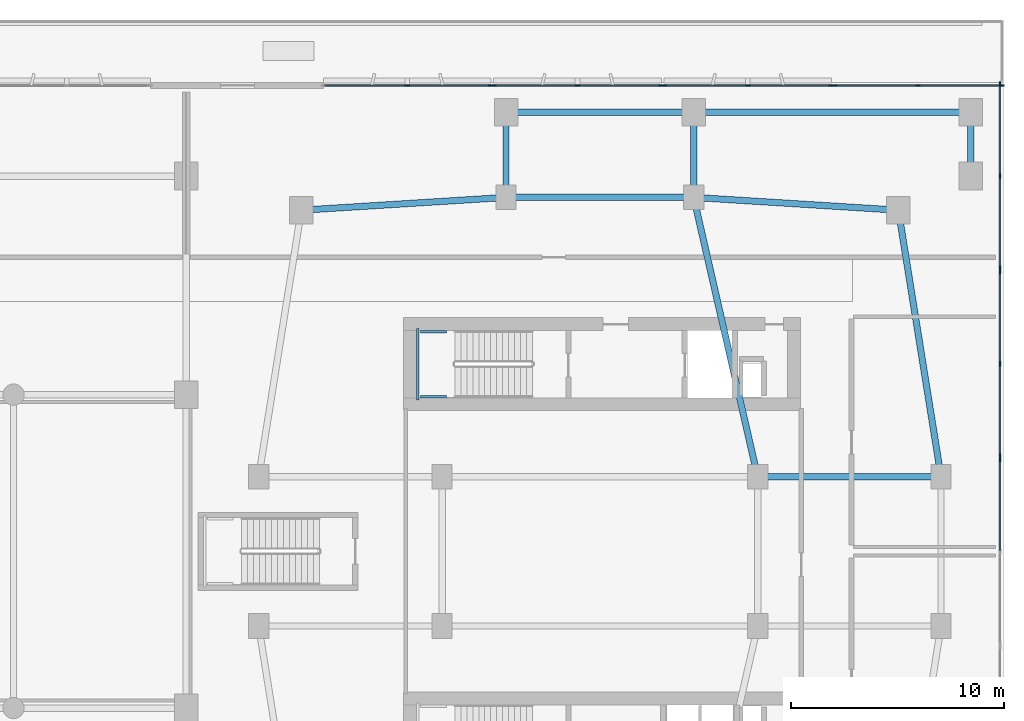
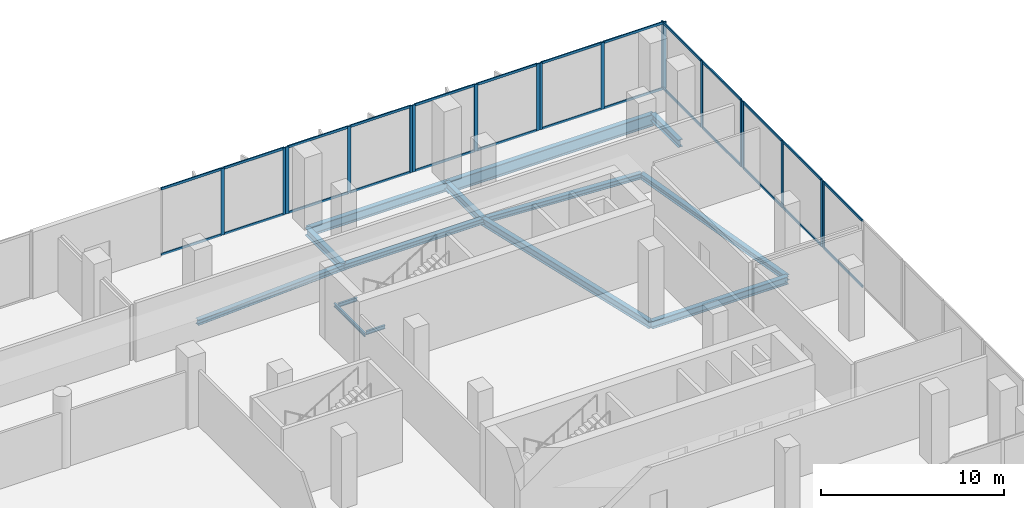
# One storey, part 8 of 30: 44 members, 14 beams, 7 elements without a shape of their own.
"""IFC4 building model written with IfcOpenShell, lengths in metres."""

from ifc_helpers import new_model, si_unit, derived_unit, direction, frame, origin, origin_2d, place, context, subcontext, project, spatial, rectangle, i_section, extrude, material, layer, layer_set, material_profile, profile_set, type_object, element, aggregate, save


model = new_model("IFC4")

# Units and contexts
model_context = context("Model", 3, precision=1e-05, world=origin(), true_north=direction((0.0, 1.0)))
body_context = subcontext(model_context, "Body", "Model", "MODEL_VIEW")
ifc_project = project(units=[si_unit("LENGTHUNIT", "METRE"), si_unit("AREAUNIT", "SQUARE_METRE"), si_unit("VOLUMEUNIT", "CUBIC_METRE"), si_unit("PLANEANGLEUNIT", "RADIAN"), si_unit("MASSUNIT", "GRAM", prefix="KILO"), derived_unit("THERMALTRANSMITTANCEUNIT", [(si_unit("POWERUNIT", "WATT"), 1), (si_unit("LENGTHUNIT", "METRE"), -2), (si_unit("THERMODYNAMICTEMPERATUREUNIT", "KELVIN"), -1)])], contexts=[model_context])

# Site, building, storey
site_placement = place(None, origin())
site = spatial("IfcSite", under=ifc_project, at=site_placement, CompositionType="ELEMENT")
building_placement = place(site_placement, origin())
building = spatial("IfcBuilding", under=site, at=building_placement, Name="Kivonza Crest Hotel", CompositionType="ELEMENT")
storey_placement = place(building_placement, frame((0.0, 0.0, 10.199951171875)))
storey = spatial("IfcBuildingStorey", under=building, at=storey_placement, Name="L02", CompositionType="ELEMENT", Elevation=10.199951171875)

# Beams
ifc_material_1 = material(Name="Steel S355", Category="steel")
ifc_material_profile_1 = material_profile(ifc_material_1, i_section(OverallWidth=0.300048828125, OverallDepth=0.360107421875, WebThickness=0.012451171875, FlangeThickness=0.0224609375, FilletRadius=0.027099609375, at=origin_2d()), Name="HEB 360")
ifc_profile_set_1 = profile_set([ifc_material_profile_1], Name="Steel S355")
beam_type_1 = type_object("IfcBeamType", Name="BM-HEB360", PredefinedType="SPANDREL", material=ifc_profile_set_1)
beam_1_placement = place(storey_placement, frame((93.0, 28.5, -0.530029296875), z_axis=(-0.157990501107, 0.987440631917, 0.0), x_axis=(-0.987440631917, -0.157990501107, 0.0)))
element("IfcBeam", 1, at=beam_1_placement, inside=storey, type_object=beam_type_1, Name="Companion Tower T2 L02 perimeter spandrel E2-NE", PredefinedType="SPANDREL", context=body_context, shape_type="SweptSolid", body=[
    extrude(i_section(OverallWidth=0.300048828125, OverallDepth=0.360107421875, WebThickness=0.012451171875, FlangeThickness=0.0224609375, FilletRadius=0.027099609375, at=origin_2d()), origin(), (0.0, 0.0, 1.0), 12.658935546875),
])
beam_2_placement = place(storey_placement, frame((91.0, 41.0, -0.530029296875), z_axis=(-0.998051985873, 0.062387767186, 0.0), x_axis=(-0.062387767186, -0.998051985873, 0.0)))
element("IfcBeam", 2, at=beam_2_placement, inside=storey, type_object=beam_type_1, Name="Companion Tower T2 L02 perimeter spandrel NE-N2", PredefinedType="SPANDREL", context=body_context, shape_type="SweptSolid", body=[
    extrude(i_section(OverallWidth=0.300048828125, OverallDepth=0.360107421875, WebThickness=0.012451171875, FlangeThickness=0.0224609375, FilletRadius=0.027099609375, at=origin_2d()), origin(), (0.0, 0.0, 1.0), 9.618896484375),
])
beam_3_placement = place(storey_placement, frame((81.39990234375, 41.60009765625, -0.530029296875), z_axis=(-1.0, 0.0, 0.0), x_axis=(0.0, -1.0, 0.0)))
element("IfcBeam", 3, at=beam_3_placement, inside=storey, type_object=beam_type_1, Name="Companion Tower T2 L02 perimeter spandrel N2-N1", PredefinedType="SPANDREL", context=body_context, shape_type="SweptSolid", body=[
    extrude(i_section(OverallWidth=0.300048828125, OverallDepth=0.360107421875, WebThickness=0.012451171875, FlangeThickness=0.0224609375, FilletRadius=0.027099609375, at=origin_2d()), origin(), (0.0, 0.0, 1.0), 8.7998046875),
])
beam_4_placement = place(storey_placement, frame((72.60009765625, 41.60009765625, -0.530029296875), z_axis=(-0.998051985873, -0.062387767186, 0.0), x_axis=(0.062387767186, -0.998051985873, 0.0)))
element("IfcBeam", 4, at=beam_4_placement, inside=storey, type_object=beam_type_1, Name="Companion Tower T2 L02 perimeter spandrel N1-NW", PredefinedType="SPANDREL", context=body_context, shape_type="SweptSolid", body=[
    extrude(i_section(OverallWidth=0.300048828125, OverallDepth=0.360107421875, WebThickness=0.012451171875, FlangeThickness=0.0224609375, FilletRadius=0.027099609375, at=origin_2d()), origin(), (0.0, 0.0, 1.0), 9.618896484375),
])
ifc_material_profile_2 = material_profile(ifc_material_1, i_section(OverallWidth=0.300048828125, OverallDepth=0.5, WebThickness=0.014404296875, FlangeThickness=0.028076171875, FilletRadius=0.027099609375, at=origin_2d()), Name="HEB 500")
ifc_profile_set_2 = profile_set([ifc_material_profile_2], Name="Steel S355")
beam_type_2 = type_object("IfcBeamType", Name="BM-HEB500", PredefinedType="BEAM", material=ifc_profile_set_2)
beam_5_placement = place(storey_placement, frame((84.39990234375, 28.5, -0.599853515625), z_axis=(1.0, 0.0, 0.0), x_axis=(0.0, 1.0, 0.0)))
element("IfcBeam", 5, at=beam_5_placement, inside=storey, type_object=beam_type_2, Name="Companion Tower T2 L02 girder WR2-E2", PredefinedType="BEAM", context=body_context, shape_type="SweptSolid", body=[
    extrude(i_section(OverallWidth=0.300048828125, OverallDepth=0.5, WebThickness=0.014404296875, FlangeThickness=0.028076171875, FilletRadius=0.027099609375, at=origin_2d()), origin(), (0.0, 0.0, 1.0), 8.60009765625),
])
beam_6_placement = place(storey_placement, frame((84.39990234375, 28.5, -0.599853515625), z_axis=(-0.223227287589, 0.974766422317, 0.0), x_axis=(-0.974766422317, -0.223227287589, 0.0)))
element("IfcBeam", 6, at=beam_6_placement, inside=storey, type_object=beam_type_2, Name="Companion Tower T2 L02 girder WR2-N2", PredefinedType="BEAM", context=body_context, shape_type="SweptSolid", body=[
    extrude(i_section(OverallWidth=0.300048828125, OverallDepth=0.5, WebThickness=0.014404296875, FlangeThickness=0.028076171875, FilletRadius=0.027099609375, at=origin_2d()), origin(), (0.0, 0.0, 1.0), 13.439208984375),
])
for number, where, z_axis, x_axis, name in (
    (7, (72.60009765625, 41.60009765625, -0.599853515625), (0.0, 1.0, 0.0), (-1.0, 0.0, 0.0), "L02 podium girder Y 61"),
    (8, (81.39990234375, 41.60009765625, -0.599853515625), (0.0, 1.0, 0.0), (-1.0, 0.0, 0.0), "L02 podium girder Y 63"),
):
    element("IfcBeam", number, at=place(storey_placement, frame(where, z_axis=z_axis, x_axis=x_axis)), inside=storey, type_object=beam_type_2, Name=name, PredefinedType="BEAM", context=body_context, shape_type="SweptSolid", body=[
        extrude(i_section(OverallWidth=0.300048828125, OverallDepth=0.5, WebThickness=0.014404296875, FlangeThickness=0.028076171875, FilletRadius=0.027099609375, at=origin_2d()), origin(), (0.0, 0.0, 1.0), 4.0),
    ])
beam_7_placement = place(storey_placement, frame((94.39990234375, 42.60009765625, -0.599853515625), z_axis=(0.0, 1.0, 0.0), x_axis=(-1.0, 0.0, 0.0)))
element("IfcBeam", 9, at=beam_7_placement, inside=storey, type_object=beam_type_2, Name="L02 podium girder Y 67", PredefinedType="BEAM", context=body_context, shape_type="SweptSolid", body=[
    extrude(i_section(OverallWidth=0.300048828125, OverallDepth=0.5, WebThickness=0.014404296875, FlangeThickness=0.028076171875, FilletRadius=0.027099609375, at=origin_2d()), origin(), (0.0, 0.0, 1.0), 3.0),
])
ifc_material_profile_3 = material_profile(ifc_material_1, i_section(OverallWidth=0.300048828125, OverallDepth=0.60009765625, WebThickness=0.015380859375, FlangeThickness=0.030029296875, FilletRadius=0.027099609375, at=origin_2d()), Name="HEB 600")
ifc_profile_set_3 = profile_set([ifc_material_profile_3], Name="Steel S355")
beam_type_3 = type_object("IfcBeamType", Name="BM-HEB600", PredefinedType="BEAM", material=ifc_profile_set_3)
beam_8_placement = place(storey_placement, frame((72.60009765625, 45.60009765625, -0.64990234375), z_axis=(1.0, 0.0, 0.0), x_axis=(0.0, 1.0, 0.0)))
element("IfcBeam", 10, at=beam_8_placement, inside=storey, type_object=beam_type_3, Name="L02 podium girder X 33", PredefinedType="BEAM", context=body_context, shape_type="SweptSolid", body=[
    extrude(i_section(OverallWidth=0.300048828125, OverallDepth=0.60009765625, WebThickness=0.015380859375, FlangeThickness=0.030029296875, FilletRadius=0.027099609375, at=origin_2d()), origin(), (0.0, 0.0, 1.0), 8.7998046875),
])
ifc_material_profile_4 = material_profile(ifc_material_1, i_section(OverallWidth=0.300048828125, OverallDepth=0.800048828125, WebThickness=0.017578125, FlangeThickness=0.032958984375, FilletRadius=0.030029296875, at=origin_2d()), Name="HEB 800")
ifc_profile_set_4 = profile_set([ifc_material_profile_4], Name="Steel S355")
beam_type_4 = type_object("IfcBeamType", Name="BM-HEB800", PredefinedType="BEAM", material=ifc_profile_set_4)
beam_9_placement = place(storey_placement, frame((81.39990234375, 45.60009765625, -0.75), z_axis=(1.0, 0.0, 0.0), x_axis=(0.0, 1.0, 0.0)))
element("IfcBeam", 11, at=beam_9_placement, inside=storey, type_object=beam_type_4, Name="L02 podium girder X 34", PredefinedType="BEAM", context=body_context, shape_type="SweptSolid", body=[
    extrude(i_section(OverallWidth=0.300048828125, OverallDepth=0.800048828125, WebThickness=0.017578125, FlangeThickness=0.032958984375, FilletRadius=0.030029296875, at=origin_2d()), origin(), (0.0, 0.0, 1.0), 13.0),
])
ifc_material_profile_5 = material_profile(ifc_material_1, i_section(OverallWidth=0.1201171875, OverallDepth=0.239990234375, WebThickness=0.006103515625, FlangeThickness=0.009765625, FilletRadius=0.014892578125, at=origin_2d()), Name="IPE 240")
ifc_profile_set_5 = profile_set([ifc_material_profile_5], Name="Steel S355")
beam_type_5 = type_object("IfcBeamType", Name="BM-LLDG-240", PredefinedType="BEAM", material=ifc_profile_set_5)
beam_10_placement = place(storey_placement, frame((68.4599609375, 32.10009765625, 2.080078125), z_axis=(0.0, 1.0, 0.0), x_axis=(-1.0, 0.0, 0.0)))
element("IfcBeam", 12, at=beam_10_placement, inside=storey, type_object=beam_type_5, Name="Stair ST-T2-N L02 West landing corbel", PredefinedType="BEAM", context=body_context, shape_type="SweptSolid", body=[
    extrude(i_section(OverallWidth=0.1201171875, OverallDepth=0.239990234375, WebThickness=0.006103515625, FlangeThickness=0.009765625, FilletRadius=0.014892578125, at=origin_2d()), origin(), (0.0, 0.0, 1.0), 3.35986328125),
])
for number, where, z_axis, x_axis, name in (
    (13, (68.590087890625, 32.260009765625, 2.080078125), (1.0, 0.0, 0.0), (0.0, 1.0, 0.0), "Stair ST-T2-N L02 South landing corbel"),
    (14, (68.590087890625, 35.300048828125, 2.080078125), (1.0, 0.0, 0.0), (0.0, 1.0, 0.0), "Stair ST-T2-N L02 North landing corbel"),
):
    element("IfcBeam", number, at=place(storey_placement, frame(where, z_axis=z_axis, x_axis=x_axis)), inside=storey, type_object=beam_type_5, Name=name, PredefinedType="BEAM", context=body_context, shape_type="SweptSolid", body=[
        extrude(i_section(OverallWidth=0.1201171875, OverallDepth=0.239990234375, WebThickness=0.006103515625, FlangeThickness=0.009765625, FilletRadius=0.014892578125, at=origin_2d()), origin(), (0.0, 0.0, 1.0), 1.2099609375),
    ])

# Curtain wall, member
ifc_material_2 = material(Name="Anodised bronze aluminium and low-E double glazing", Category="aluminium")
ifc_layer = layer(ifc_material_2, 0.219970703125)
ifc_layer_set = layer_set([ifc_layer], Name="Anodised bronze aluminium and low-E double glazing")
curtain_wall_type = type_object("IfcCurtainWallType", Name="CW-SYS-1", PredefinedType="NOTDEFINED", material=ifc_layer_set)
curtain_wall_1_placement = place(storey_placement, origin())
curtain_wall_1 = element("IfcCurtainWall", 15, at=curtain_wall_1_placement, inside=storey, type_object=curtain_wall_type, Name="L02 unitised curtain wall CW-POD-L02-15", PredefinedType="NOTDEFINED")
ifc_material_3 = material(Name="Anodised bronze aluminium", Category="aluminium")
ifc_material_profile_6 = material_profile(ifc_material_3, rectangle(XDim=0.074951171875, YDim=0.219970703125, at=origin_2d()), Name="CW-M 75x220")
ifc_profile_set_6 = profile_set([ifc_material_profile_6], Name="Anodised bronze aluminium")
member_type_1 = type_object("IfcMemberType", Name="CW-MUL-75x220", PredefinedType="MULLION", material=ifc_profile_set_6)
member_1_placement = place(storey_placement, frame((95.760009765625, 29.322509765625, 0.0), z_axis=(0.0, 0.0, 1.0), x_axis=(-1.0, 0.0, 0.0)))
member_1 = element("IfcMember", 16, at=member_1_placement, type_object=member_type_1, Name="CW-1 mullion 3", PredefinedType="MULLION", context=body_context, shape_type="SweptSolid", body=[
    extrude(rectangle(XDim=0.074951171875, YDim=0.219970703125, at=origin_2d()), origin(), (0.0, 0.0, 1.0), 4.449951171875),
])

# Curtain wall, members
curtain_wall_2_placement = place(storey_placement, origin())
curtain_wall_2 = element("IfcCurtainWall", 17, at=curtain_wall_2_placement, inside=storey, type_object=curtain_wall_type, Name="L02 unitised curtain wall CW-POD-L02-16", PredefinedType="NOTDEFINED")
member_2_placement = place(storey_placement, frame((95.760009765625, 29.4775390625, 0.0), z_axis=(0.0, 0.0, 1.0), x_axis=(-1.0, 0.0, 0.0)))
member_2 = element("IfcMember", 18, at=member_2_placement, type_object=member_type_1, Name="CW-1 mullion 1", PredefinedType="MULLION", context=body_context, shape_type="SweptSolid", body=[
    extrude(rectangle(XDim=0.074951171875, YDim=0.219970703125, at=origin_2d()), origin(), (0.0, 0.0, 1.0), 4.449951171875),
])
member_3_placement = place(storey_placement, frame((95.760009765625, 33.800048828125, 0.0), z_axis=(0.0, 0.0, 1.0), x_axis=(-1.0, 0.0, 0.0)))
member_3 = element("IfcMember", 19, at=member_3_placement, type_object=member_type_1, Name="CW-1 mullion 2", PredefinedType="MULLION", context=body_context, shape_type="SweptSolid", body=[
    extrude(rectangle(XDim=0.074951171875, YDim=0.219970703125, at=origin_2d()), origin(), (0.0, 0.0, 1.0), 4.449951171875),
])
member_4_placement = place(storey_placement, frame((95.760009765625, 38.12255859375, 0.0), z_axis=(0.0, 0.0, 1.0), x_axis=(-1.0, 0.0, 0.0)))
member_4 = element("IfcMember", 20, at=member_4_placement, type_object=member_type_1, Name="CW-1 mullion 3", PredefinedType="MULLION", context=body_context, shape_type="SweptSolid", body=[
    extrude(rectangle(XDim=0.074951171875, YDim=0.219970703125, at=origin_2d()), origin(), (0.0, 0.0, 1.0), 4.449951171875),
])

curtain_wall_3_placement = place(storey_placement, origin())
curtain_wall_3 = element("IfcCurtainWall", 21, at=curtain_wall_3_placement, inside=storey, type_object=curtain_wall_type, Name="L02 unitised curtain wall CW-POD-L02-17", PredefinedType="NOTDEFINED")
member_5_placement = place(storey_placement, frame((95.760009765625, 38.277587890625, 0.0), z_axis=(0.0, 0.0, 1.0), x_axis=(-1.0, 0.0, 0.0)))
member_5 = element("IfcMember", 22, at=member_5_placement, type_object=member_type_1, Name="CW-1 mullion 1", PredefinedType="MULLION", context=body_context, shape_type="SweptSolid", body=[
    extrude(rectangle(XDim=0.074951171875, YDim=0.219970703125, at=origin_2d()), origin(), (0.0, 0.0, 1.0), 4.449951171875),
])
member_6_placement = place(storey_placement, frame((95.760009765625, 42.60009765625, 0.0), z_axis=(0.0, 0.0, 1.0), x_axis=(-1.0, 0.0, 0.0)))
member_6 = element("IfcMember", 23, at=member_6_placement, type_object=member_type_1, Name="CW-1 mullion 2", PredefinedType="MULLION", context=body_context, shape_type="SweptSolid", body=[
    extrude(rectangle(XDim=0.074951171875, YDim=0.219970703125, at=origin_2d()), origin(), (0.0, 0.0, 1.0), 4.449951171875),
])
member_7_placement = place(storey_placement, frame((95.760009765625, 46.922607421875, 0.0), z_axis=(0.0, 0.0, 1.0), x_axis=(-1.0, 0.0, 0.0)))
member_7 = element("IfcMember", 24, at=member_7_placement, type_object=member_type_1, Name="CW-1 mullion 3", PredefinedType="MULLION", context=body_context, shape_type="SweptSolid", body=[
    extrude(rectangle(XDim=0.074951171875, YDim=0.219970703125, at=origin_2d()), origin(), (0.0, 0.0, 1.0), 4.449951171875),
])

curtain_wall_4_placement = place(storey_placement, origin())
curtain_wall_4 = element("IfcCurtainWall", 25, at=curtain_wall_4_placement, inside=storey, type_object=curtain_wall_type, Name="L02 unitised curtain wall CW-POD-L02-18", PredefinedType="NOTDEFINED")
member_8_placement = place(storey_placement, frame((95.842529296875, 46.840087890625, 0.0), z_axis=(0.0, 0.0, 1.0), x_axis=(0.0, -1.0, 0.0)))
member_8 = element("IfcMember", 26, at=member_8_placement, type_object=member_type_1, Name="CW-1 mullion 1", PredefinedType="MULLION", context=body_context, shape_type="SweptSolid", body=[
    extrude(rectangle(XDim=0.074951171875, YDim=0.219970703125, at=origin_2d()), origin(), (0.0, 0.0, 1.0), 4.449951171875),
])
member_9_placement = place(storey_placement, frame((91.926513671875, 46.840087890625, 0.0), z_axis=(0.0, 0.0, 1.0), x_axis=(0.0, -1.0, 0.0)))
member_9 = element("IfcMember", 27, at=member_9_placement, type_object=member_type_1, Name="CW-1 mullion 2", PredefinedType="MULLION", context=body_context, shape_type="SweptSolid", body=[
    extrude(rectangle(XDim=0.074951171875, YDim=0.219970703125, at=origin_2d()), origin(), (0.0, 0.0, 1.0), 4.449951171875),
])
member_10_placement = place(storey_placement, frame((88.010498046875, 46.840087890625, 0.0), z_axis=(0.0, 0.0, 1.0), x_axis=(0.0, -1.0, 0.0)))
member_10 = element("IfcMember", 28, at=member_10_placement, type_object=member_type_1, Name="CW-1 mullion 3", PredefinedType="MULLION", context=body_context, shape_type="SweptSolid", body=[
    extrude(rectangle(XDim=0.074951171875, YDim=0.219970703125, at=origin_2d()), origin(), (0.0, 0.0, 1.0), 4.449951171875),
])

curtain_wall_5_placement = place(storey_placement, origin())
curtain_wall_5 = element("IfcCurtainWall", 29, at=curtain_wall_5_placement, inside=storey, type_object=curtain_wall_type, Name="L02 unitised curtain wall CW-POD-L02-19", PredefinedType="NOTDEFINED")
member_11_placement = place(storey_placement, frame((87.85546875, 46.840087890625, 0.0), z_axis=(0.0, 0.0, 1.0), x_axis=(0.0, -1.0, 0.0)))
member_11 = element("IfcMember", 30, at=member_11_placement, type_object=member_type_1, Name="CW-1 mullion 1", PredefinedType="MULLION", context=body_context, shape_type="SweptSolid", body=[
    extrude(rectangle(XDim=0.074951171875, YDim=0.219970703125, at=origin_2d()), origin(), (0.0, 0.0, 1.0), 4.449951171875),
])
member_12_placement = place(storey_placement, frame((83.93994140625, 46.840087890625, 0.0), z_axis=(0.0, 0.0, 1.0), x_axis=(0.0, -1.0, 0.0)))
member_12 = element("IfcMember", 31, at=member_12_placement, type_object=member_type_1, Name="CW-1 mullion 2", PredefinedType="MULLION", context=body_context, shape_type="SweptSolid", body=[
    extrude(rectangle(XDim=0.074951171875, YDim=0.219970703125, at=origin_2d()), origin(), (0.0, 0.0, 1.0), 4.449951171875),
])
member_13_placement = place(storey_placement, frame((80.0244140625, 46.840087890625, 0.0), z_axis=(0.0, 0.0, 1.0), x_axis=(0.0, -1.0, 0.0)))
member_13 = element("IfcMember", 32, at=member_13_placement, type_object=member_type_1, Name="CW-1 mullion 3", PredefinedType="MULLION", context=body_context, shape_type="SweptSolid", body=[
    extrude(rectangle(XDim=0.074951171875, YDim=0.219970703125, at=origin_2d()), origin(), (0.0, 0.0, 1.0), 4.449951171875),
])

curtain_wall_6_placement = place(storey_placement, origin())
curtain_wall_6 = element("IfcCurtainWall", 33, at=curtain_wall_6_placement, inside=storey, type_object=curtain_wall_type, Name="L02 unitised curtain wall CW-POD-L02-20", PredefinedType="NOTDEFINED")
member_14_placement = place(storey_placement, frame((79.869384765625, 46.840087890625, 0.0), z_axis=(0.0, 0.0, 1.0), x_axis=(0.0, -1.0, 0.0)))
member_14 = element("IfcMember", 34, at=member_14_placement, type_object=member_type_1, Name="CW-1 mullion 1", PredefinedType="MULLION", context=body_context, shape_type="SweptSolid", body=[
    extrude(rectangle(XDim=0.074951171875, YDim=0.219970703125, at=origin_2d()), origin(), (0.0, 0.0, 1.0), 4.449951171875),
])
member_15_placement = place(storey_placement, frame((75.95361328125, 46.840087890625, 0.0), z_axis=(0.0, 0.0, 1.0), x_axis=(0.0, -1.0, 0.0)))
member_15 = element("IfcMember", 35, at=member_15_placement, type_object=member_type_1, Name="CW-1 mullion 2", PredefinedType="MULLION", context=body_context, shape_type="SweptSolid", body=[
    extrude(rectangle(XDim=0.074951171875, YDim=0.219970703125, at=origin_2d()), origin(), (0.0, 0.0, 1.0), 4.449951171875),
])
member_16_placement = place(storey_placement, frame((72.03759765625, 46.840087890625, 0.0), z_axis=(0.0, 0.0, 1.0), x_axis=(0.0, -1.0, 0.0)))
member_16 = element("IfcMember", 36, at=member_16_placement, type_object=member_type_1, Name="CW-1 mullion 3", PredefinedType="MULLION", context=body_context, shape_type="SweptSolid", body=[
    extrude(rectangle(XDim=0.074951171875, YDim=0.219970703125, at=origin_2d()), origin(), (0.0, 0.0, 1.0), 4.449951171875),
])

curtain_wall_7_placement = place(storey_placement, origin())
curtain_wall_7 = element("IfcCurtainWall", 37, at=curtain_wall_7_placement, inside=storey, type_object=curtain_wall_type, Name="L02 unitised curtain wall CW-POD-L02-21", PredefinedType="NOTDEFINED")
member_17_placement = place(storey_placement, frame((71.882568359375, 46.840087890625, 0.0), z_axis=(0.0, 0.0, 1.0), x_axis=(0.0, -1.0, 0.0)))
member_17 = element("IfcMember", 38, at=member_17_placement, type_object=member_type_1, Name="CW-1 mullion 1", PredefinedType="MULLION", context=body_context, shape_type="SweptSolid", body=[
    extrude(rectangle(XDim=0.074951171875, YDim=0.219970703125, at=origin_2d()), origin(), (0.0, 0.0, 1.0), 4.449951171875),
])
member_18_placement = place(storey_placement, frame((67.966552734375, 46.840087890625, 0.0), z_axis=(0.0, 0.0, 1.0), x_axis=(0.0, -1.0, 0.0)))
member_18 = element("IfcMember", 39, at=member_18_placement, type_object=member_type_1, Name="CW-1 mullion 2", PredefinedType="MULLION", context=body_context, shape_type="SweptSolid", body=[
    extrude(rectangle(XDim=0.074951171875, YDim=0.219970703125, at=origin_2d()), origin(), (0.0, 0.0, 1.0), 4.449951171875),
])

# Member
ifc_material_profile_7 = material_profile(ifc_material_3, rectangle(XDim=0.074951171875, YDim=0.159912109375, at=origin_2d()), Name="CW-T 75x160")
ifc_profile_set_7 = profile_set([ifc_material_profile_7], Name="Anodised bronze aluminium")
member_type_2 = type_object("IfcMemberType", Name="CW-TRN-75x160", PredefinedType="USERDEFINED", material=ifc_profile_set_7)
member_19_placement = place(storey_placement, frame((95.760009765625, 25.03759765625, 0.03759765625), z_axis=(0.0, 1.0, 0.0), x_axis=(-1.0, 0.0, 0.0)))
member_19 = element("IfcMember", 40, at=member_19_placement, type_object=member_type_2, Name="CW-1 transom 2.1", ObjectType="TRANSOM", PredefinedType="USERDEFINED", context=body_context, shape_type="SweptSolid", body=[
    extrude(rectangle(XDim=0.074951171875, YDim=0.159912109375, at=origin_2d()), origin(), (0.0, 0.0, 1.0), 4.247314453125),
])

member_20_placement = place(storey_placement, frame((95.760009765625, 25.03759765625, 4.41259765625), z_axis=(0.0, 1.0, 0.0), x_axis=(-1.0, 0.0, 0.0)))
member_20 = element("IfcMember", 41, at=member_20_placement, type_object=member_type_2, Name="CW-1 transom 2.2", ObjectType="TRANSOM", PredefinedType="USERDEFINED", context=body_context, shape_type="SweptSolid", body=[
    extrude(rectangle(XDim=0.074951171875, YDim=0.159912109375, at=origin_2d()), origin(), (0.0, 0.0, 1.0), 4.247314453125),
])

aggregate(curtain_wall_1, [member_1, member_19, member_20])

member_21_placement = place(storey_placement, frame((95.760009765625, 29.514892578125, 0.03759765625), z_axis=(0.0, 1.0, 0.0), x_axis=(-1.0, 0.0, 0.0)))
member_21 = element("IfcMember", 42, at=member_21_placement, type_object=member_type_2, Name="CW-1 transom 1.1", ObjectType="TRANSOM", PredefinedType="USERDEFINED", context=body_context, shape_type="SweptSolid", body=[
    extrude(rectangle(XDim=0.074951171875, YDim=0.159912109375, at=origin_2d()), origin(), (0.0, 0.0, 1.0), 4.24755859375),
])

member_22_placement = place(storey_placement, frame((95.760009765625, 29.514892578125, 4.41259765625), z_axis=(0.0, 1.0, 0.0), x_axis=(-1.0, 0.0, 0.0)))
member_22 = element("IfcMember", 43, at=member_22_placement, type_object=member_type_2, Name="CW-1 transom 1.2", ObjectType="TRANSOM", PredefinedType="USERDEFINED", context=body_context, shape_type="SweptSolid", body=[
    extrude(rectangle(XDim=0.074951171875, YDim=0.159912109375, at=origin_2d()), origin(), (0.0, 0.0, 1.0), 4.24755859375),
])

member_23_placement = place(storey_placement, frame((95.760009765625, 33.83740234375, 0.03759765625), z_axis=(0.0, 1.0, 0.0), x_axis=(-1.0, 0.0, 0.0)))
member_23 = element("IfcMember", 44, at=member_23_placement, type_object=member_type_2, Name="CW-1 transom 2.1", ObjectType="TRANSOM", PredefinedType="USERDEFINED", context=body_context, shape_type="SweptSolid", body=[
    extrude(rectangle(XDim=0.074951171875, YDim=0.159912109375, at=origin_2d()), origin(), (0.0, 0.0, 1.0), 4.24755859375),
])

member_24_placement = place(storey_placement, frame((95.760009765625, 33.83740234375, 4.41259765625), z_axis=(0.0, 1.0, 0.0), x_axis=(-1.0, 0.0, 0.0)))
member_24 = element("IfcMember", 45, at=member_24_placement, type_object=member_type_2, Name="CW-1 transom 2.2", ObjectType="TRANSOM", PredefinedType="USERDEFINED", context=body_context, shape_type="SweptSolid", body=[
    extrude(rectangle(XDim=0.074951171875, YDim=0.159912109375, at=origin_2d()), origin(), (0.0, 0.0, 1.0), 4.24755859375),
])

aggregate(curtain_wall_2, [member_2, member_3, member_4, member_21, member_22, member_23, member_24])

member_25_placement = place(storey_placement, frame((95.760009765625, 38.31494140625, 0.03759765625), z_axis=(0.0, 1.0, 0.0), x_axis=(-1.0, 0.0, 0.0)))
member_25 = element("IfcMember", 46, at=member_25_placement, type_object=member_type_2, Name="CW-1 transom 1.1", ObjectType="TRANSOM", PredefinedType="USERDEFINED", context=body_context, shape_type="SweptSolid", body=[
    extrude(rectangle(XDim=0.074951171875, YDim=0.159912109375, at=origin_2d()), origin(), (0.0, 0.0, 1.0), 4.24755859375),
])

member_26_placement = place(storey_placement, frame((95.760009765625, 38.31494140625, 4.41259765625), z_axis=(0.0, 1.0, 0.0), x_axis=(-1.0, 0.0, 0.0)))
member_26 = element("IfcMember", 47, at=member_26_placement, type_object=member_type_2, Name="CW-1 transom 1.2", ObjectType="TRANSOM", PredefinedType="USERDEFINED", context=body_context, shape_type="SweptSolid", body=[
    extrude(rectangle(XDim=0.074951171875, YDim=0.159912109375, at=origin_2d()), origin(), (0.0, 0.0, 1.0), 4.24755859375),
])

member_27_placement = place(storey_placement, frame((95.760009765625, 42.637451171875, 0.03759765625), z_axis=(0.0, 1.0, 0.0), x_axis=(-1.0, 0.0, 0.0)))
member_27 = element("IfcMember", 48, at=member_27_placement, type_object=member_type_2, Name="CW-1 transom 2.1", ObjectType="TRANSOM", PredefinedType="USERDEFINED", context=body_context, shape_type="SweptSolid", body=[
    extrude(rectangle(XDim=0.074951171875, YDim=0.159912109375, at=origin_2d()), origin(), (0.0, 0.0, 1.0), 4.24755859375),
])

member_28_placement = place(storey_placement, frame((95.760009765625, 42.637451171875, 4.41259765625), z_axis=(0.0, 1.0, 0.0), x_axis=(-1.0, 0.0, 0.0)))
member_28 = element("IfcMember", 49, at=member_28_placement, type_object=member_type_2, Name="CW-1 transom 2.2", ObjectType="TRANSOM", PredefinedType="USERDEFINED", context=body_context, shape_type="SweptSolid", body=[
    extrude(rectangle(XDim=0.074951171875, YDim=0.159912109375, at=origin_2d()), origin(), (0.0, 0.0, 1.0), 4.24755859375),
])

aggregate(curtain_wall_3, [member_5, member_6, member_7, member_25, member_26, member_27, member_28])

member_29_placement = place(storey_placement, frame((95.804931640625, 46.840087890625, 0.03759765625), z_axis=(-1.0, 0.0, 0.0), x_axis=(0.0, -1.0, 0.0)))
member_29 = element("IfcMember", 50, at=member_29_placement, type_object=member_type_2, Name="CW-1 transom 1.1", ObjectType="TRANSOM", PredefinedType="USERDEFINED", context=body_context, shape_type="SweptSolid", body=[
    extrude(rectangle(XDim=0.074951171875, YDim=0.159912109375, at=origin_2d()), origin(), (0.0, 0.0, 1.0), 3.8408203125),
])

member_30_placement = place(storey_placement, frame((95.804931640625, 46.840087890625, 4.41259765625), z_axis=(-1.0, 0.0, 0.0), x_axis=(0.0, -1.0, 0.0)))
member_30 = element("IfcMember", 51, at=member_30_placement, type_object=member_type_2, Name="CW-1 transom 1.2", ObjectType="TRANSOM", PredefinedType="USERDEFINED", context=body_context, shape_type="SweptSolid", body=[
    extrude(rectangle(XDim=0.074951171875, YDim=0.159912109375, at=origin_2d()), origin(), (0.0, 0.0, 1.0), 3.8408203125),
])

member_31_placement = place(storey_placement, frame((91.888916015625, 46.840087890625, 0.03759765625), z_axis=(-1.0, 0.0, 0.0), x_axis=(0.0, -1.0, 0.0)))
member_31 = element("IfcMember", 52, at=member_31_placement, type_object=member_type_2, Name="CW-1 transom 2.1", ObjectType="TRANSOM", PredefinedType="USERDEFINED", context=body_context, shape_type="SweptSolid", body=[
    extrude(rectangle(XDim=0.074951171875, YDim=0.159912109375, at=origin_2d()), origin(), (0.0, 0.0, 1.0), 3.8408203125),
])

member_32_placement = place(storey_placement, frame((91.888916015625, 46.840087890625, 4.41259765625), z_axis=(-1.0, 0.0, 0.0), x_axis=(0.0, -1.0, 0.0)))
member_32 = element("IfcMember", 53, at=member_32_placement, type_object=member_type_2, Name="CW-1 transom 2.2", ObjectType="TRANSOM", PredefinedType="USERDEFINED", context=body_context, shape_type="SweptSolid", body=[
    extrude(rectangle(XDim=0.074951171875, YDim=0.159912109375, at=origin_2d()), origin(), (0.0, 0.0, 1.0), 3.8408203125),
])

aggregate(curtain_wall_4, [member_8, member_9, member_10, member_29, member_30, member_31, member_32])

member_33_placement = place(storey_placement, frame((87.818115234375, 46.840087890625, 0.03759765625), z_axis=(-1.0, 0.0, 0.0), x_axis=(0.0, -1.0, 0.0)))
member_33 = element("IfcMember", 54, at=member_33_placement, type_object=member_type_2, Name="CW-1 transom 1.1", ObjectType="TRANSOM", PredefinedType="USERDEFINED", context=body_context, shape_type="SweptSolid", body=[
    extrude(rectangle(XDim=0.074951171875, YDim=0.159912109375, at=origin_2d()), origin(), (0.0, 0.0, 1.0), 3.840576171875),
])

member_34_placement = place(storey_placement, frame((87.818115234375, 46.840087890625, 4.41259765625), z_axis=(-1.0, 0.0, 0.0), x_axis=(0.0, -1.0, 0.0)))
member_34 = element("IfcMember", 55, at=member_34_placement, type_object=member_type_2, Name="CW-1 transom 1.2", ObjectType="TRANSOM", PredefinedType="USERDEFINED", context=body_context, shape_type="SweptSolid", body=[
    extrude(rectangle(XDim=0.074951171875, YDim=0.159912109375, at=origin_2d()), origin(), (0.0, 0.0, 1.0), 3.840576171875),
])

member_35_placement = place(storey_placement, frame((83.902587890625, 46.840087890625, 0.03759765625), z_axis=(-1.0, 0.0, 0.0), x_axis=(0.0, -1.0, 0.0)))
member_35 = element("IfcMember", 56, at=member_35_placement, type_object=member_type_2, Name="CW-1 transom 2.1", ObjectType="TRANSOM", PredefinedType="USERDEFINED", context=body_context, shape_type="SweptSolid", body=[
    extrude(rectangle(XDim=0.074951171875, YDim=0.159912109375, at=origin_2d()), origin(), (0.0, 0.0, 1.0), 3.840576171875),
])

member_36_placement = place(storey_placement, frame((83.902587890625, 46.840087890625, 4.41259765625), z_axis=(-1.0, 0.0, 0.0), x_axis=(0.0, -1.0, 0.0)))
member_36 = element("IfcMember", 57, at=member_36_placement, type_object=member_type_2, Name="CW-1 transom 2.2", ObjectType="TRANSOM", PredefinedType="USERDEFINED", context=body_context, shape_type="SweptSolid", body=[
    extrude(rectangle(XDim=0.074951171875, YDim=0.159912109375, at=origin_2d()), origin(), (0.0, 0.0, 1.0), 3.840576171875),
])

aggregate(curtain_wall_5, [member_11, member_12, member_13, member_33, member_34, member_35, member_36])

member_37_placement = place(storey_placement, frame((79.83203125, 46.840087890625, 0.03759765625), z_axis=(-1.0, 0.0, 0.0), x_axis=(0.0, -1.0, 0.0)))
member_37 = element("IfcMember", 58, at=member_37_placement, type_object=member_type_2, Name="CW-1 transom 1.1", ObjectType="TRANSOM", PredefinedType="USERDEFINED", context=body_context, shape_type="SweptSolid", body=[
    extrude(rectangle(XDim=0.074951171875, YDim=0.159912109375, at=origin_2d()), origin(), (0.0, 0.0, 1.0), 3.841064453125),
])

member_38_placement = place(storey_placement, frame((79.83203125, 46.840087890625, 4.41259765625), z_axis=(-1.0, 0.0, 0.0), x_axis=(0.0, -1.0, 0.0)))
member_38 = element("IfcMember", 59, at=member_38_placement, type_object=member_type_2, Name="CW-1 transom 1.2", ObjectType="TRANSOM", PredefinedType="USERDEFINED", context=body_context, shape_type="SweptSolid", body=[
    extrude(rectangle(XDim=0.074951171875, YDim=0.159912109375, at=origin_2d()), origin(), (0.0, 0.0, 1.0), 3.841064453125),
])

member_39_placement = place(storey_placement, frame((75.916015625, 46.840087890625, 0.03759765625), z_axis=(-1.0, 0.0, 0.0), x_axis=(0.0, -1.0, 0.0)))
member_39 = element("IfcMember", 60, at=member_39_placement, type_object=member_type_2, Name="CW-1 transom 2.1", ObjectType="TRANSOM", PredefinedType="USERDEFINED", context=body_context, shape_type="SweptSolid", body=[
    extrude(rectangle(XDim=0.074951171875, YDim=0.159912109375, at=origin_2d()), origin(), (0.0, 0.0, 1.0), 3.841064453125),
])

member_40_placement = place(storey_placement, frame((75.916015625, 46.840087890625, 4.41259765625), z_axis=(-1.0, 0.0, 0.0), x_axis=(0.0, -1.0, 0.0)))
member_40 = element("IfcMember", 61, at=member_40_placement, type_object=member_type_2, Name="CW-1 transom 2.2", ObjectType="TRANSOM", PredefinedType="USERDEFINED", context=body_context, shape_type="SweptSolid", body=[
    extrude(rectangle(XDim=0.074951171875, YDim=0.159912109375, at=origin_2d()), origin(), (0.0, 0.0, 1.0), 3.841064453125),
])

aggregate(curtain_wall_6, [member_14, member_15, member_16, member_37, member_38, member_39, member_40])

member_41_placement = place(storey_placement, frame((71.844970703125, 46.840087890625, 0.03759765625), z_axis=(-1.0, 0.0, 0.0), x_axis=(0.0, -1.0, 0.0)))
member_41 = element("IfcMember", 62, at=member_41_placement, type_object=member_type_2, Name="CW-1 transom 1.1", ObjectType="TRANSOM", PredefinedType="USERDEFINED", context=body_context, shape_type="SweptSolid", body=[
    extrude(rectangle(XDim=0.074951171875, YDim=0.159912109375, at=origin_2d()), origin(), (0.0, 0.0, 1.0), 3.841064453125),
])

member_42_placement = place(storey_placement, frame((71.844970703125, 46.840087890625, 4.41259765625), z_axis=(-1.0, 0.0, 0.0), x_axis=(0.0, -1.0, 0.0)))
member_42 = element("IfcMember", 63, at=member_42_placement, type_object=member_type_2, Name="CW-1 transom 1.2", ObjectType="TRANSOM", PredefinedType="USERDEFINED", context=body_context, shape_type="SweptSolid", body=[
    extrude(rectangle(XDim=0.074951171875, YDim=0.159912109375, at=origin_2d()), origin(), (0.0, 0.0, 1.0), 3.841064453125),
])

member_43_placement = place(storey_placement, frame((67.928955078125, 46.840087890625, 0.03759765625), z_axis=(-1.0, 0.0, 0.0), x_axis=(0.0, -1.0, 0.0)))
member_43 = element("IfcMember", 64, at=member_43_placement, type_object=member_type_2, Name="CW-1 transom 2.1", ObjectType="TRANSOM", PredefinedType="USERDEFINED", context=body_context, shape_type="SweptSolid", body=[
    extrude(rectangle(XDim=0.074951171875, YDim=0.159912109375, at=origin_2d()), origin(), (0.0, 0.0, 1.0), 3.841064453125),
])

member_44_placement = place(storey_placement, frame((67.928955078125, 46.840087890625, 4.41259765625), z_axis=(-1.0, 0.0, 0.0), x_axis=(0.0, -1.0, 0.0)))
member_44 = element("IfcMember", 65, at=member_44_placement, type_object=member_type_2, Name="CW-1 transom 2.2", ObjectType="TRANSOM", PredefinedType="USERDEFINED", context=body_context, shape_type="SweptSolid", body=[
    extrude(rectangle(XDim=0.074951171875, YDim=0.159912109375, at=origin_2d()), origin(), (0.0, 0.0, 1.0), 3.841064453125),
])

aggregate(curtain_wall_7, [member_17, member_18, member_41, member_42, member_43, member_44])

save(model, "model.ifc")
